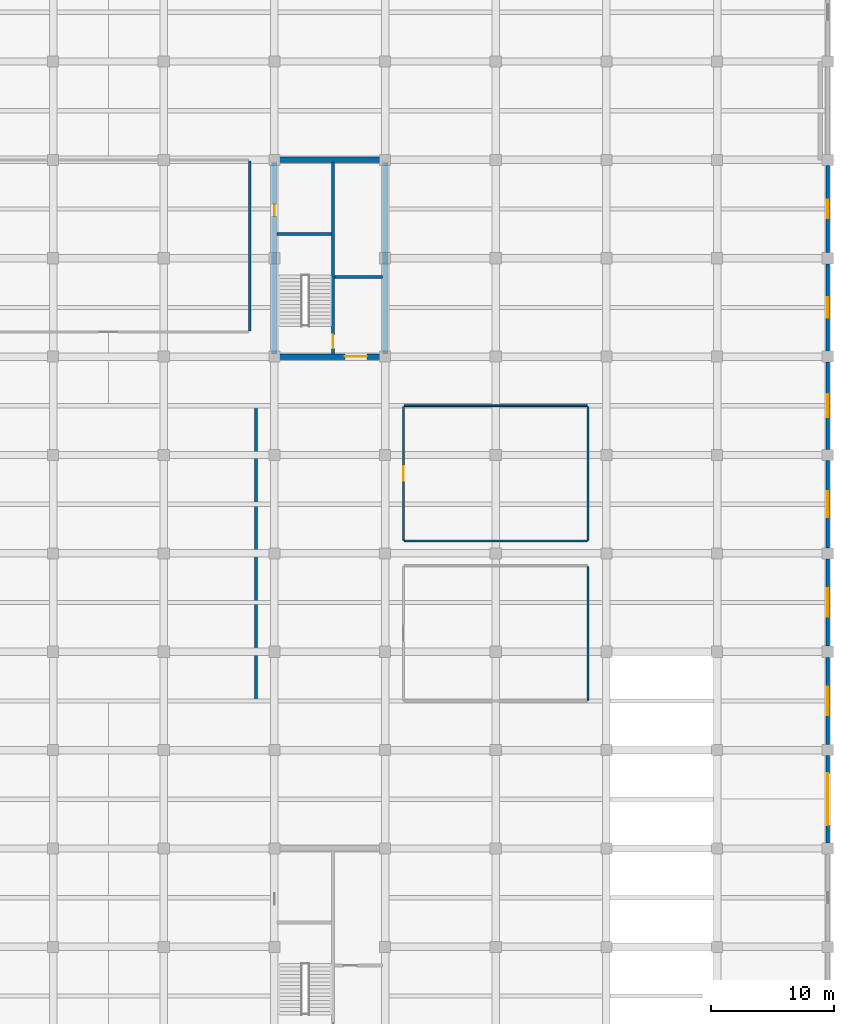
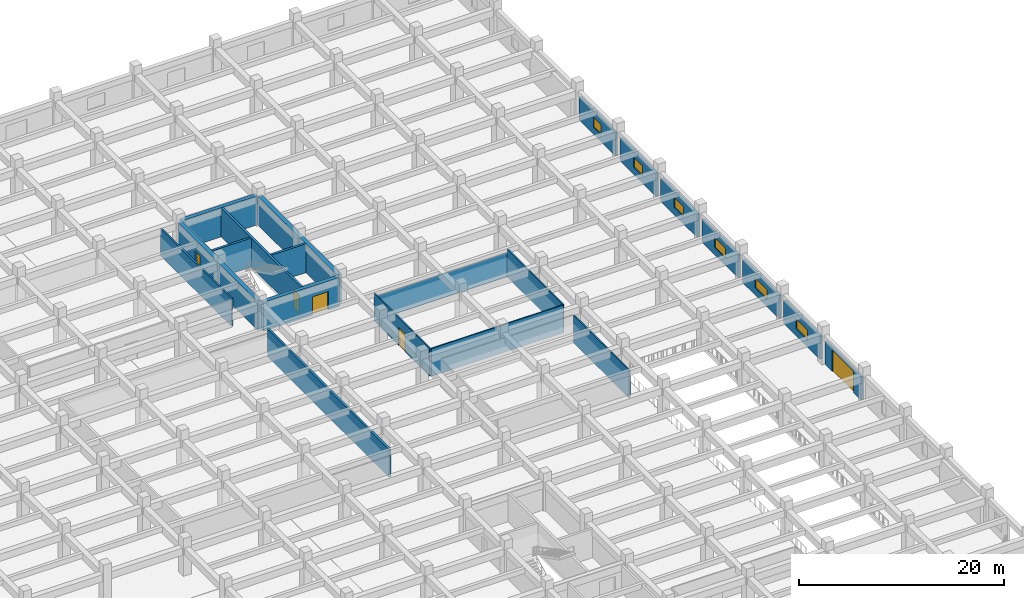
# One storey, part 29 of 40: 21 walls, 6 windows, 5 doors, 11 openings.
"""IFC4 building model written with IfcOpenShell, lengths in metres."""

from ifc_helpers import new_model, si_unit, direction, frame, frame_2d, origin, place, context, subcontext, project, spatial, rectangle, extrude, material, layer, layer_set, type_object, element, fill, save


model = new_model("IFC4")

# Units and contexts
model_context = context("Model", 3, precision=1e-05, world=origin(), true_north=direction((0.0, 1.0)))
body_context = subcontext(model_context, "Body", "Model", "MODEL_VIEW")
ifc_project = project(units=[si_unit("LENGTHUNIT", "METRE"), si_unit("AREAUNIT", "SQUARE_METRE"), si_unit("VOLUMEUNIT", "CUBIC_METRE"), si_unit("PLANEANGLEUNIT", "RADIAN"), si_unit("MASSUNIT", "GRAM", prefix="KILO")], contexts=[model_context])

# Site, building, storey
site_placement = place(None, origin())
site = spatial("IfcSite", under=ifc_project, at=site_placement, CompositionType="ELEMENT")
building_placement = place(site_placement, origin())
building = spatial("IfcBuilding", under=site, at=building_placement, Name="Zaverband Oceanarium and Marine Research Institute", CompositionType="ELEMENT")
storey_placement = place(building_placement, origin())
storey = spatial("IfcBuildingStorey", under=building, at=storey_placement, Name="L00", CompositionType="ELEMENT", Elevation=0.0)

# Wall, opening, door
ifc_material_1 = material(Name="Concrete C50/60", Category="concrete")
ifc_layer_1 = layer(ifc_material_1, 0.449951171875, Name="Concrete C50/60")
ifc_layer_set_1 = layer_set([ifc_layer_1], Name="Concrete C50/60")
wall_type_1 = type_object("IfcWallType", Name="CW-02", PredefinedType="SHEAR", material=ifc_layer_set_1)
wall_1_placement = place(storey_placement, frame((135.22509765625, 80.0, 0.0), z_axis=(0.0, 0.0, 1.0), x_axis=(1.0, 0.0, 0.0)))
wall_1 = element("IfcWall", 1, at=wall_1_placement, inside=storey, type_object=wall_type_1, Name="Structural shear wall CW-02", PredefinedType="SHEAR", context=body_context, shape_type="SweptSolid", body=[
    extrude(rectangle(XDim=8.5498046875, YDim=0.449951171875, at=frame_2d((4.27490234375, 0.0))), origin(), (0.0, 0.0, 1.0), 3.449951171875),
])
opening_1_placement = place(wall_1_placement, frame((5.5, 0.0, 0.0)))
opening_1 = element("IfcOpeningElement", 2, at=opening_1_placement, cuts=wall_1, Name="Opening FD-02", PredefinedType="OPENING", context=body_context, shape_type="SweptSolid", body=[
    extrude(rectangle(XDim=1.800048828125, YDim=2.179931640625, at=frame_2d((0.89990234375, 1.08984375))), frame((0.0, 0.23681640625, 0.0), z_axis=(0.0, -1.0, 0.0), x_axis=(1.0, 0.0, 0.0)), (0.0, 0.0, 1.0), 0.473876953125),
])
ifc_material_2 = material(Name="Steel S355", Category="steel")
door_type_1 = type_object("IfcDoorType", Name="FD-02", OperationType="DOUBLE_DOOR_SINGLE_SWING", PredefinedType="DOOR", material=ifc_material_2)
door_1_placement = place(opening_1_placement, frame((1.800048828125, 0.0, 0.0), z_axis=(0.0, 0.0, 1.0), x_axis=(-1.0, 0.0, 0.0)))
door_1 = element("IfcDoor", 3, at=door_1_placement, inside=storey, type_object=door_type_1, Name="Protected lobby double fire door FD-02", OperationType="DOUBLE_DOOR_SINGLE_SWING", OverallHeight=2.179931640625, OverallWidth=1.800048828125, PredefinedType="DOOR", context=body_context, shape_type="SweptSolid", body=[
    extrude(rectangle(XDim=1.800048828125, YDim=2.179931640625, at=frame_2d((0.89990234375, 1.08984375))), frame((0.0, 0.02490234375, 0.0), z_axis=(0.0, -1.0, 0.0), x_axis=(1.0, 0.0, 0.0)), (0.0, 0.0, 1.0), 0.050048828125),
])
fill(opening_1, door_1)

# Wall
wall_2_placement = place(storey_placement, frame((135.22509765625, 96.0, 0.0), z_axis=(0.0, 0.0, 1.0), x_axis=(1.0, 0.0, 0.0)))
element("IfcWall", 4, at=wall_2_placement, inside=storey, type_object=wall_type_1, Name="Structural shear wall CW-02", PredefinedType="SHEAR", context=body_context, shape_type="SweptSolid", body=[
    extrude(rectangle(XDim=8.5498046875, YDim=0.449951171875, at=frame_2d((4.27490234375, 0.0))), origin(), (0.0, 0.0, 1.0), 3.449951171875),
])

# Wall, opening, door
wall_3_placement = place(storey_placement, frame((135.0, 80.22509765625, 0.0), z_axis=(0.0, 0.0, 1.0), x_axis=(0.0, 1.0, 0.0)))
wall_3 = element("IfcWall", 5, at=wall_3_placement, inside=storey, type_object=wall_type_1, Name="Structural shear wall CW-02", PredefinedType="SHEAR", context=body_context, shape_type="SweptSolid", body=[
    extrude(rectangle(XDim=15.5498046875, YDim=0.449951171875, at=frame_2d((7.77490234375, 0.0))), origin(), (0.0, 0.0, 1.0), 3.449951171875),
])
opening_2_placement = place(wall_3_placement, frame((11.199951171875, 0.0, 0.0)))
opening_2 = element("IfcOpeningElement", 6, at=opening_2_placement, cuts=wall_3, Name="Opening FD-03", PredefinedType="OPENING", context=body_context, shape_type="SweptSolid", body=[
    extrude(rectangle(XDim=0.949951171875, YDim=2.10009765625, at=frame_2d((0.47509765625, 1.050048828125))), frame((0.0, 0.23681640625, 0.0), z_axis=(0.0, -1.0, 0.0), x_axis=(1.0, 0.0, 0.0)), (0.0, 0.0, 1.0), 0.473876953125),
])
door_type_2 = type_object("IfcDoorType", Name="FD-03", OperationType="NOTDEFINED", PredefinedType="DOOR", material=ifc_material_2)
door_2_placement = place(opening_2_placement, origin())
door_2 = element("IfcDoor", 7, at=door_2_placement, inside=storey, type_object=door_type_2, Name="Service riser access fire door FD-03", OperationType="SINGLE_SWING_RIGHT", OverallHeight=2.10009765625, OverallWidth=0.949951171875, PredefinedType="DOOR", context=body_context, shape_type="SweptSolid", body=[
    extrude(rectangle(XDim=0.949951171875, YDim=2.10009765625, at=frame_2d((0.47509765625, 1.050048828125))), frame((0.0, 0.02490234375, 0.0), z_axis=(0.0, -1.0, 0.0), x_axis=(1.0, 0.0, 0.0)), (0.0, 0.0, 1.0), 0.050048828125),
])
fill(opening_2, door_2)

# Wall
wall_4_placement = place(storey_placement, frame((144.0, 80.22509765625, 0.0), z_axis=(0.0, 0.0, 1.0), x_axis=(0.0, 1.0, 0.0)))
element("IfcWall", 8, at=wall_4_placement, inside=storey, type_object=wall_type_1, Name="Structural shear wall CW-02", PredefinedType="SHEAR", context=body_context, shape_type="SweptSolid", body=[
    extrude(rectangle(XDim=15.5498046875, YDim=0.449951171875, at=frame_2d((7.77490234375, 0.0))), origin(), (0.0, 0.0, 1.0), 3.449951171875),
])

# Wall, opening, door
ifc_material_3 = material(Name="Concrete C40/50 precast", Category="concrete")
ifc_layer_2 = layer(ifc_material_3, 0.264892578125, Name="Concrete C40/50 precast")
ifc_layer_set_2 = layer_set([ifc_layer_2], Name="Concrete C40/50 precast")
wall_type_2 = type_object("IfcWallType", Name="EW-265", PredefinedType="STANDARD", material=ifc_layer_set_2)
wall_5_placement = place(storey_placement, frame((180.0, 40.455078125, 0.0), z_axis=(0.0, 0.0, 1.0), x_axis=(0.0, 1.0, 0.0)))
wall_5 = element("IfcWall", 9, at=wall_5_placement, inside=storey, type_object=wall_type_2, Name="Exterior infill wall EW-265", PredefinedType="STANDARD", context=body_context, shape_type="SweptSolid", body=[
    extrude(rectangle(XDim=7.08984375, YDim=0.264892578125, at=frame_2d((3.544921875, 0.0))), origin(), (0.0, 0.0, 1.0), 2.72998046875),
])
opening_3_placement = place(wall_5_placement, frame((1.445068359375, 0.0, 0.0)))
opening_3 = element("IfcOpeningElement", 10, at=opening_3_placement, cuts=wall_5, Name="Opening RS-4200x2550", PredefinedType="OPENING", context=body_context, shape_type="SweptSolid", body=[
    extrude(rectangle(XDim=4.199951171875, YDim=2.550048828125, at=frame_2d((2.10009765625, 1.27490234375))), frame((0.0, 0.14453125, 0.0), z_axis=(0.0, -1.0, 0.0), x_axis=(1.0, 0.0, 0.0)), (0.0, 0.0, 1.0), 0.288818359375),
])
door_type_3 = type_object("IfcDoorType", Name="RS-4200x2550", OperationType="ROLLINGUP", PredefinedType="DOOR", material=ifc_material_2)
door_3_placement = place(opening_3_placement, frame((4.199951171875, 0.0, 0.0), z_axis=(0.0, 0.0, 1.0), x_axis=(-1.0, 0.0, 0.0)))
door_3 = element("IfcDoor", 11, at=door_3_placement, inside=storey, type_object=door_type_3, Name="Vehicle entrance and service roller shutter RS-01", OperationType="ROLLINGUP", OverallHeight=2.550048828125, OverallWidth=4.199951171875, PredefinedType="DOOR", context=body_context, shape_type="SweptSolid", body=[
    extrude(rectangle(XDim=4.199951171875, YDim=2.550048828125, at=frame_2d((2.10009765625, 1.27490234375))), frame((0.0, 0.02490234375, 0.0), z_axis=(0.0, -1.0, 0.0), x_axis=(1.0, 0.0, 0.0)), (0.0, 0.0, 1.0), 0.050048828125),
])
fill(opening_3, door_3)

# Wall, opening, window
wall_6_placement = place(storey_placement, frame((180.0, 64.455078125, 0.0), z_axis=(0.0, 0.0, 1.0), x_axis=(0.0, 1.0, 0.0)))
wall_6 = element("IfcWall", 12, at=wall_6_placement, inside=storey, type_object=wall_type_2, Name="Exterior infill wall EW-265", PredefinedType="STANDARD", context=body_context, shape_type="SweptSolid", body=[
    extrude(rectangle(XDim=7.08984375, YDim=0.264892578125, at=frame_2d((3.544921875, 0.0))), origin(), (0.0, 0.0, 1.0), 2.72998046875),
])
opening_4_placement = place(wall_6_placement, frame((2.4951171875, 0.0, 0.85009765625)))
opening_4 = element("IfcOpeningElement", 13, at=opening_4_placement, cuts=wall_6, Name="Opening WN-2100x1200", PredefinedType="OPENING", context=body_context, shape_type="SweptSolid", body=[
    extrude(rectangle(XDim=2.10009765625, YDim=1.199951171875, at=frame_2d((1.050048828125, 0.60009765625))), frame((0.0, 0.14453125, 0.0), z_axis=(0.0, -1.0, 0.0), x_axis=(1.0, 0.0, 0.0)), (0.0, 0.0, 1.0), 0.288818359375),
])
ifc_material_4 = material(Name="Thermally broken anodized aluminium and solar-control glass", Category="aluminium")
window_type_1 = type_object("IfcWindowType", Name="WN-2100x1200", PartitioningType="SINGLE_PANEL", PredefinedType="WINDOW", material=ifc_material_4)
window_1_placement = place(opening_4_placement, origin())
window_1 = element("IfcWindow", 14, at=window_1_placement, inside=storey, type_object=window_type_1, Name="Fixed / casement exterior window WN-2100x1200", OverallHeight=1.199951171875, OverallWidth=2.10009765625, PartitioningType="SINGLE_PANEL", PredefinedType="WINDOW", context=body_context, shape_type="SweptSolid", body=[
    extrude(rectangle(XDim=2.10009765625, YDim=1.199951171875, at=frame_2d((1.050048828125, 0.60009765625))), frame((0.0, 0.030029296875, 0.0), z_axis=(0.0, -1.0, 0.0), x_axis=(1.0, 0.0, 0.0)), (0.0, 0.0, 1.0), 0.06005859375),
])
fill(opening_4, window_1)

wall_7_placement = place(storey_placement, frame((180.0, 88.455078125, 0.0), z_axis=(0.0, 0.0, 1.0), x_axis=(0.0, 1.0, 0.0)))
wall_7 = element("IfcWall", 15, at=wall_7_placement, inside=storey, type_object=wall_type_2, Name="Exterior infill wall EW-265", PredefinedType="STANDARD", context=body_context, shape_type="SweptSolid", body=[
    extrude(rectangle(XDim=7.08984375, YDim=0.264892578125, at=frame_2d((3.544921875, 0.0))), origin(), (0.0, 0.0, 1.0), 2.72998046875),
])
opening_5_placement = place(wall_7_placement, frame((2.794921875, 0.0, 0.85009765625)))
opening_5 = element("IfcOpeningElement", 16, at=opening_5_placement, cuts=wall_7, Name="Opening WN-1500x1200", PredefinedType="OPENING", context=body_context, shape_type="SweptSolid", body=[
    extrude(rectangle(XDim=1.5, YDim=1.199951171875, at=frame_2d((0.75, 0.60009765625))), frame((0.0, 0.14453125, 0.0), z_axis=(0.0, -1.0, 0.0), x_axis=(1.0, 0.0, 0.0)), (0.0, 0.0, 1.0), 0.288818359375),
])
window_type_2 = type_object("IfcWindowType", Name="WN-1500x1200", PartitioningType="SINGLE_PANEL", PredefinedType="WINDOW", material=ifc_material_4)
window_2_placement = place(opening_5_placement, origin())
window_2 = element("IfcWindow", 17, at=window_2_placement, inside=storey, type_object=window_type_2, Name="Fixed / casement exterior window WN-1500x1200", OverallHeight=1.199951171875, OverallWidth=1.5, PartitioningType="SINGLE_PANEL", PredefinedType="WINDOW", context=body_context, shape_type="SweptSolid", body=[
    extrude(rectangle(XDim=1.5, YDim=1.199951171875, at=frame_2d((0.75, 0.60009765625))), frame((0.0, 0.030029296875, 0.0), z_axis=(0.0, -1.0, 0.0), x_axis=(1.0, 0.0, 0.0)), (0.0, 0.0, 1.0), 0.06005859375),
])
fill(opening_5, window_2)

ifc_layer_3 = layer(ifc_material_3, 0.2900390625, Name="Concrete C40/50 precast")
ifc_layer_set_3 = layer_set([ifc_layer_3], Name="Concrete C40/50 precast")
wall_type_3 = type_object("IfcWallType", Name="EW-290", PredefinedType="STANDARD", material=ifc_layer_set_3)
wall_8_placement = place(storey_placement, frame((180.0, 56.455078125, 0.0), z_axis=(0.0, 0.0, 1.0), x_axis=(0.0, 1.0, 0.0)))
wall_8 = element("IfcWall", 18, at=wall_8_placement, inside=storey, type_object=wall_type_3, Name="Exterior infill wall EW-290", PredefinedType="STANDARD", context=body_context, shape_type="SweptSolid", body=[
    extrude(rectangle(XDim=7.08984375, YDim=0.2900390625, at=frame_2d((3.544921875, 0.0))), origin(), (0.0, 0.0, 1.0), 2.72998046875),
])
opening_6_placement = place(wall_8_placement, frame((2.39501953125, 0.0, 0.85009765625)))
opening_6 = element("IfcOpeningElement", 19, at=opening_6_placement, cuts=wall_8, Name="Opening WN-2300x1200", PredefinedType="OPENING", context=body_context, shape_type="SweptSolid", body=[
    extrude(rectangle(XDim=2.300048828125, YDim=1.199951171875, at=frame_2d((1.14990234375, 0.60009765625))), frame((0.0, 0.156982421875, 0.0), z_axis=(0.0, -1.0, 0.0), x_axis=(1.0, 0.0, 0.0)), (0.0, 0.0, 1.0), 0.31396484375),
])
window_type_3 = type_object("IfcWindowType", Name="WN-2300x1200", PartitioningType="SINGLE_PANEL", PredefinedType="WINDOW", material=ifc_material_4)
window_3_placement = place(opening_6_placement, origin())
window_3 = element("IfcWindow", 20, at=window_3_placement, inside=storey, type_object=window_type_3, Name="Fixed / casement exterior window WN-2300x1200", OverallHeight=1.199951171875, OverallWidth=2.300048828125, PartitioningType="SINGLE_PANEL", PredefinedType="WINDOW", context=body_context, shape_type="SweptSolid", body=[
    extrude(rectangle(XDim=2.300048828125, YDim=1.199951171875, at=frame_2d((1.14990234375, 0.60009765625))), frame((0.0, 0.030029296875, 0.0), z_axis=(0.0, -1.0, 0.0), x_axis=(1.0, 0.0, 0.0)), (0.0, 0.0, 1.0), 0.06005859375),
])
fill(opening_6, window_3)

wall_9_placement = place(storey_placement, frame((180.0, 80.455078125, 0.0), z_axis=(0.0, 0.0, 1.0), x_axis=(0.0, 1.0, 0.0)))
wall_9 = element("IfcWall", 21, at=wall_9_placement, inside=storey, type_object=wall_type_3, Name="Exterior infill wall EW-290", PredefinedType="STANDARD", context=body_context, shape_type="SweptSolid", body=[
    extrude(rectangle(XDim=7.08984375, YDim=0.2900390625, at=frame_2d((3.544921875, 0.0))), origin(), (0.0, 0.0, 1.0), 2.72998046875),
])
opening_7_placement = place(wall_9_placement, frame((2.695068359375, 0.0, 0.85009765625)))
opening_7 = element("IfcOpeningElement", 22, at=opening_7_placement, cuts=wall_9, Name="Opening WN-1700x1200", PredefinedType="OPENING", context=body_context, shape_type="SweptSolid", body=[
    extrude(rectangle(XDim=1.699951171875, YDim=1.199951171875, at=frame_2d((0.85009765625, 0.60009765625))), frame((0.0, 0.156982421875, 0.0), z_axis=(0.0, -1.0, 0.0), x_axis=(1.0, 0.0, 0.0)), (0.0, 0.0, 1.0), 0.31396484375),
])
window_type_4 = type_object("IfcWindowType", Name="WN-1700x1200", PartitioningType="SINGLE_PANEL", PredefinedType="WINDOW", material=ifc_material_4)
window_4_placement = place(opening_7_placement, origin())
window_4 = element("IfcWindow", 23, at=window_4_placement, inside=storey, type_object=window_type_4, Name="Fixed / casement exterior window WN-1700x1200", OverallHeight=1.199951171875, OverallWidth=1.699951171875, PartitioningType="SINGLE_PANEL", PredefinedType="WINDOW", context=body_context, shape_type="SweptSolid", body=[
    extrude(rectangle(XDim=1.699951171875, YDim=1.199951171875, at=frame_2d((0.85009765625, 0.60009765625))), frame((0.0, 0.030029296875, 0.0), z_axis=(0.0, -1.0, 0.0), x_axis=(1.0, 0.0, 0.0)), (0.0, 0.0, 1.0), 0.06005859375),
])
fill(opening_7, window_4)

ifc_layer_4 = layer(ifc_material_3, 0.31005859375, Name="Concrete C40/50 precast")
ifc_layer_set_4 = layer_set([ifc_layer_4], Name="Concrete C40/50 precast")
wall_type_4 = type_object("IfcWallType", Name="EW-310", PredefinedType="STANDARD", material=ifc_layer_set_4)
wall_10_placement = place(storey_placement, frame((180.0, 48.455078125, 0.0), z_axis=(0.0, 0.0, 1.0), x_axis=(0.0, 1.0, 0.0)))
wall_10 = element("IfcWall", 24, at=wall_10_placement, inside=storey, type_object=wall_type_4, Name="Exterior infill wall EW-310", PredefinedType="STANDARD", context=body_context, shape_type="SweptSolid", body=[
    extrude(rectangle(XDim=7.08984375, YDim=0.31005859375, at=frame_2d((3.544921875, 0.0))), origin(), (0.0, 0.0, 1.0), 2.72998046875),
])
opening_8_placement = place(wall_10_placement, frame((2.39501953125, 0.0, 0.85009765625)))
opening_8 = element("IfcOpeningElement", 25, at=opening_8_placement, cuts=wall_10, Name="Opening WN-2300x1200", PredefinedType="OPENING", context=body_context, shape_type="SweptSolid", body=[
    extrude(rectangle(XDim=2.300048828125, YDim=1.199951171875, at=frame_2d((1.14990234375, 0.60009765625))), frame((0.0, 0.1669921875, 0.0), z_axis=(0.0, -1.0, 0.0), x_axis=(1.0, 0.0, 0.0)), (0.0, 0.0, 1.0), 0.333984375),
])
window_5_placement = place(opening_8_placement, origin())
window_5 = element("IfcWindow", 26, at=window_5_placement, inside=storey, type_object=window_type_3, Name="Fixed / casement exterior window WN-2300x1200", OverallHeight=1.199951171875, OverallWidth=2.300048828125, PartitioningType="SINGLE_PANEL", PredefinedType="WINDOW", context=body_context, shape_type="SweptSolid", body=[
    extrude(rectangle(XDim=2.300048828125, YDim=1.199951171875, at=frame_2d((1.14990234375, 0.60009765625))), frame((0.0, 0.030029296875, 0.0), z_axis=(0.0, -1.0, 0.0), x_axis=(1.0, 0.0, 0.0)), (0.0, 0.0, 1.0), 0.06005859375),
])
fill(opening_8, window_5)

wall_11_placement = place(storey_placement, frame((180.0, 72.455078125, 0.0), z_axis=(0.0, 0.0, 1.0), x_axis=(0.0, 1.0, 0.0)))
wall_11 = element("IfcWall", 27, at=wall_11_placement, inside=storey, type_object=wall_type_4, Name="Exterior infill wall EW-310", PredefinedType="STANDARD", context=body_context, shape_type="SweptSolid", body=[
    extrude(rectangle(XDim=7.08984375, YDim=0.31005859375, at=frame_2d((3.544921875, 0.0))), origin(), (0.0, 0.0, 1.0), 2.72998046875),
])
opening_9_placement = place(wall_11_placement, frame((2.594970703125, 0.0, 0.85009765625)))
opening_9 = element("IfcOpeningElement", 28, at=opening_9_placement, cuts=wall_11, Name="Opening WN-1900x1200", PredefinedType="OPENING", context=body_context, shape_type="SweptSolid", body=[
    extrude(rectangle(XDim=1.89990234375, YDim=1.199951171875, at=frame_2d((0.949951171875, 0.60009765625))), frame((0.0, 0.1669921875, 0.0), z_axis=(0.0, -1.0, 0.0), x_axis=(1.0, 0.0, 0.0)), (0.0, 0.0, 1.0), 0.333984375),
])
window_type_5 = type_object("IfcWindowType", Name="WN-1900x1200", PartitioningType="SINGLE_PANEL", PredefinedType="WINDOW", material=ifc_material_4)
window_6_placement = place(opening_9_placement, origin())
window_6 = element("IfcWindow", 29, at=window_6_placement, inside=storey, type_object=window_type_5, Name="Fixed / casement exterior window WN-1900x1200", OverallHeight=1.199951171875, OverallWidth=1.89990234375, PartitioningType="SINGLE_PANEL", PredefinedType="WINDOW", context=body_context, shape_type="SweptSolid", body=[
    extrude(rectangle(XDim=1.89990234375, YDim=1.199951171875, at=frame_2d((0.949951171875, 0.60009765625))), frame((0.0, 0.030029296875, 0.0), z_axis=(0.0, -1.0, 0.0), x_axis=(1.0, 0.0, 0.0)), (0.0, 0.0, 1.0), 0.06005859375),
])
fill(opening_9, window_6)

# Walls
ifc_material_5 = material(Name="Acoustic classroom partition")
ifc_layer_5 = layer(ifc_material_5, 0.139892578125, Name="Acoustic classroom partition")
ifc_layer_set_5 = layer_set([ifc_layer_5], Name="Acoustic classroom partition")
wall_type_5 = type_object("IfcWallType", Name="PT-140-CL", PredefinedType="PARTITIONING", material=ifc_layer_set_5)
wall_12_placement = place(storey_placement, frame((160.5, 52.070068359375, 0.0), z_axis=(0.0, 0.0, 1.0), x_axis=(0.0, 1.0, 0.0)))
element("IfcWall", 30, at=wall_12_placement, inside=storey, type_object=wall_type_5, Name="Acoustic partition PT-140-CL", PredefinedType="PARTITIONING", context=body_context, shape_type="SweptSolid", body=[
    extrude(rectangle(XDim=10.85986328125, YDim=0.139892578125, at=frame_2d((5.429931640625, 0.0))), origin(), (0.0, 0.0, 1.0), 3.300048828125),
])
wall_13_placement = place(storey_placement, frame((145.570068359375, 65.0, 0.0), z_axis=(0.0, 0.0, 1.0), x_axis=(1.0, 0.0, 0.0)))
element("IfcWall", 31, at=wall_13_placement, inside=storey, type_object=wall_type_5, Name="Acoustic partition PT-140-CL", PredefinedType="PARTITIONING", context=body_context, shape_type="SweptSolid", body=[
    extrude(rectangle(XDim=14.85986328125, YDim=0.139892578125, at=frame_2d((7.429931640625, 0.0))), origin(), (0.0, 0.0, 1.0), 3.300048828125),
])
wall_14_placement = place(storey_placement, frame((145.570068359375, 76.0, 0.0), z_axis=(0.0, 0.0, 1.0), x_axis=(1.0, 0.0, 0.0)))
element("IfcWall", 32, at=wall_14_placement, inside=storey, type_object=wall_type_5, Name="Acoustic partition PT-140-CL", PredefinedType="PARTITIONING", context=body_context, shape_type="SweptSolid", body=[
    extrude(rectangle(XDim=14.85986328125, YDim=0.139892578125, at=frame_2d((7.429931640625, 0.0))), origin(), (0.0, 0.0, 1.0), 2.85009765625),
])

# Wall, opening, door
wall_15_placement = place(storey_placement, frame((145.5, 65.070068359375, 0.0), z_axis=(0.0, 0.0, 1.0), x_axis=(0.0, 1.0, 0.0)))
wall_15 = element("IfcWall", 33, at=wall_15_placement, inside=storey, type_object=wall_type_5, Name="Acoustic partition PT-140-CL", PredefinedType="PARTITIONING", context=body_context, shape_type="SweptSolid", body=[
    extrude(rectangle(XDim=10.85986328125, YDim=0.139892578125, at=frame_2d((5.429931640625, 0.0))), origin(), (0.0, 0.0, 1.0), 3.300048828125),
])
opening_10_placement = place(wall_15_placement, frame((4.830078125, 0.0, 0.0)))
opening_10 = element("IfcOpeningElement", 34, at=opening_10_placement, cuts=wall_15, Name="Opening ID-1200x2120", PredefinedType="OPENING", context=body_context, shape_type="SweptSolid", body=[
    extrude(rectangle(XDim=1.199951171875, YDim=2.1201171875, at=frame_2d((0.60009765625, 1.06005859375))), frame((0.0, 0.08203125, 0.0), z_axis=(0.0, -1.0, 0.0), x_axis=(1.0, 0.0, 0.0)), (0.0, 0.0, 1.0), 0.163818359375),
])
ifc_material_6 = material(Name="Hardwood-veneered acoustic timber", Category="wood")
door_type_4 = type_object("IfcDoorType", Name="ID-1200x2120", OperationType="NOTDEFINED", PredefinedType="DOOR", material=ifc_material_6)
door_4_placement = place(opening_10_placement, origin())
door_4 = element("IfcDoor", 35, at=door_4_placement, inside=storey, type_object=door_type_4, Name="Discovery workshop door ID-1200x2120", OperationType="SINGLE_SWING_RIGHT", OverallHeight=2.1201171875, OverallWidth=1.199951171875, PredefinedType="DOOR", context=body_context, shape_type="SweptSolid", body=[
    extrude(rectangle(XDim=1.199951171875, YDim=2.1201171875, at=frame_2d((0.60009765625, 1.06005859375))), frame((0.0, 0.02490234375, 0.0), z_axis=(0.0, -1.0, 0.0), x_axis=(1.0, 0.0, 0.0)), (0.0, 0.0, 1.0), 0.050048828125),
])
fill(opening_10, door_4)

# Walls
wall_16_placement = place(storey_placement, frame((160.5, 65.070068359375, 0.0), z_axis=(0.0, 0.0, 1.0), x_axis=(0.0, 1.0, 0.0)))
element("IfcWall", 36, at=wall_16_placement, inside=storey, type_object=wall_type_5, Name="Acoustic partition PT-140-CL", PredefinedType="PARTITIONING", context=body_context, shape_type="SweptSolid", body=[
    extrude(rectangle(XDim=10.85986328125, YDim=0.139892578125, at=frame_2d((5.429931640625, 0.0))), origin(), (0.0, 0.0, 1.0), 3.300048828125),
])
ifc_material_7 = material(Name="Moisture-resistant laboratory blockwork", Category="masonry")
ifc_layer_6 = layer(ifc_material_7, 0.179931640625, Name="Moisture-resistant laboratory blockwork")
ifc_layer_set_6 = layer_set([ifc_layer_6], Name="Moisture-resistant laboratory blockwork")
wall_type_6 = type_object("IfcWallType", Name="PT-180-LB", PredefinedType="PARTITIONING", material=ifc_layer_set_6)
wall_17_placement = place(storey_placement, frame((133.0, 82.090087890625, 0.0), z_axis=(0.0, 0.0, 1.0), x_axis=(0.0, 1.0, 0.0)))
element("IfcWall", 37, at=wall_17_placement, inside=storey, type_object=wall_type_6, Name="Internal partition PT-180-LB", PredefinedType="PARTITIONING", context=body_context, shape_type="SweptSolid", body=[
    extrude(rectangle(XDim=13.81982421875, YDim=0.179931640625, at=frame_2d((6.909912109375, 0.0))), origin(), (0.0, 0.0, 1.0), 3.300048828125),
])
ifc_material_8 = material(Name="Masonry concrete blockwork", Category="masonry")
ifc_layer_7 = layer(ifc_material_8, 0.239990234375, Name="Masonry concrete blockwork")
ifc_layer_set_7 = layer_set([ifc_layer_7], Name="Masonry concrete blockwork")
wall_type_7 = type_object("IfcWallType", Name="PT-240-AC", PredefinedType="PARTITIONING", material=ifc_layer_set_7)
wall_18_placement = place(storey_placement, frame((133.5, 52.1201171875, 0.0), z_axis=(0.0, 0.0, 1.0), x_axis=(0.0, 1.0, 0.0)))
element("IfcWall", 38, at=wall_18_placement, inside=storey, type_object=wall_type_7, Name="Acoustic partition PT-240-AC", PredefinedType="PARTITIONING", context=body_context, shape_type="SweptSolid", body=[
    extrude(rectangle(XDim=23.759765625, YDim=0.239990234375, at=frame_2d((11.8798828125, 0.0))), origin(), (0.0, 0.0, 1.0), 3.300048828125),
])

# Wall, opening, door
ifc_layer_8 = layer(ifc_material_1, 0.25, Name="Concrete C50/60")
ifc_layer_set_8 = layer_set([ifc_layer_8], Name="Concrete C50/60")
wall_type_8 = type_object("IfcWallType", Name="PW-CORE-250", PredefinedType="SOLIDWALL", material=ifc_layer_set_8)
wall_19_placement = place(storey_placement, frame((139.77490234375, 80.22509765625, 0.0), z_axis=(0.0, 0.0, 1.0), x_axis=(0.0, 1.0, 0.0)))
wall_19 = element("IfcWall", 39, at=wall_19_placement, inside=storey, type_object=wall_type_8, Name="Structural concrete wall PW-CORE-250", PredefinedType="SOLIDWALL", context=body_context, shape_type="SweptSolid", body=[
    extrude(rectangle(XDim=15.5498046875, YDim=0.25, at=frame_2d((7.77490234375, 0.0))), origin(), (0.0, 0.0, 1.0), 3.449951171875),
])
opening_11_placement = place(wall_19_placement, frame((0.449951171875, 0.0, 0.0)))
opening_11 = element("IfcOpeningElement", 40, at=opening_11_placement, cuts=wall_19, Name="Opening FD-01", PredefinedType="OPENING", context=body_context, shape_type="SweptSolid", body=[
    extrude(rectangle(XDim=1.10009765625, YDim=2.14990234375, at=frame_2d((0.550048828125, 1.074951171875))), frame((0.0, 0.136962890625, 0.0), z_axis=(0.0, -1.0, 0.0), x_axis=(1.0, 0.0, 0.0)), (0.0, 0.0, 1.0), 0.27392578125),
])
door_type_5 = type_object("IfcDoorType", Name="FD-01", OperationType="NOTDEFINED", PredefinedType="DOOR", material=ifc_material_2)
door_5_placement = place(opening_11_placement, frame((1.10009765625, 0.0, 0.0), z_axis=(0.0, 0.0, 1.0), x_axis=(-1.0, 0.0, 0.0)))
door_5 = element("IfcDoor", 41, at=door_5_placement, inside=storey, type_object=door_type_5, Name="Core stair / lobby fire door FD-01", OperationType="SINGLE_SWING_LEFT", OverallHeight=2.14990234375, OverallWidth=1.10009765625, PredefinedType="DOOR", context=body_context, shape_type="SweptSolid", body=[
    extrude(rectangle(XDim=1.10009765625, YDim=2.14990234375, at=frame_2d((0.550048828125, 1.074951171875))), frame((0.0, 0.02490234375, 0.0), z_axis=(0.0, -1.0, 0.0), x_axis=(1.0, 0.0, 0.0)), (0.0, 0.0, 1.0), 0.050048828125),
])
fill(opening_11, door_5)

# Walls
wall_20_placement = place(storey_placement, frame((135.22509765625, 89.97509765625, 0.0), z_axis=(0.0, 0.0, 1.0), x_axis=(1.0, 0.0, 0.0)))
element("IfcWall", 42, at=wall_20_placement, inside=storey, type_object=wall_type_8, Name="Structural concrete wall PW-CORE-250", PredefinedType="SOLIDWALL", context=body_context, shape_type="SweptSolid", body=[
    extrude(rectangle(XDim=4.419921875, YDim=0.25, at=frame_2d((2.2099609375, 0.0))), origin(), (0.0, 0.0, 1.0), 3.449951171875),
])
wall_21_placement = place(storey_placement, frame((139.905029296875, 86.47509765625, 0.0), z_axis=(0.0, 0.0, 1.0), x_axis=(1.0, 0.0, 0.0)))
element("IfcWall", 43, at=wall_21_placement, inside=storey, type_object=wall_type_8, Name="Structural concrete wall PW-CORE-250", PredefinedType="SOLIDWALL", context=body_context, shape_type="SweptSolid", body=[
    extrude(rectangle(XDim=3.869873046875, YDim=0.25, at=frame_2d((1.93505859375, 0.0))), origin(), (0.0, 0.0, 1.0), 3.449951171875),
])

save(model, "model.ifc")
